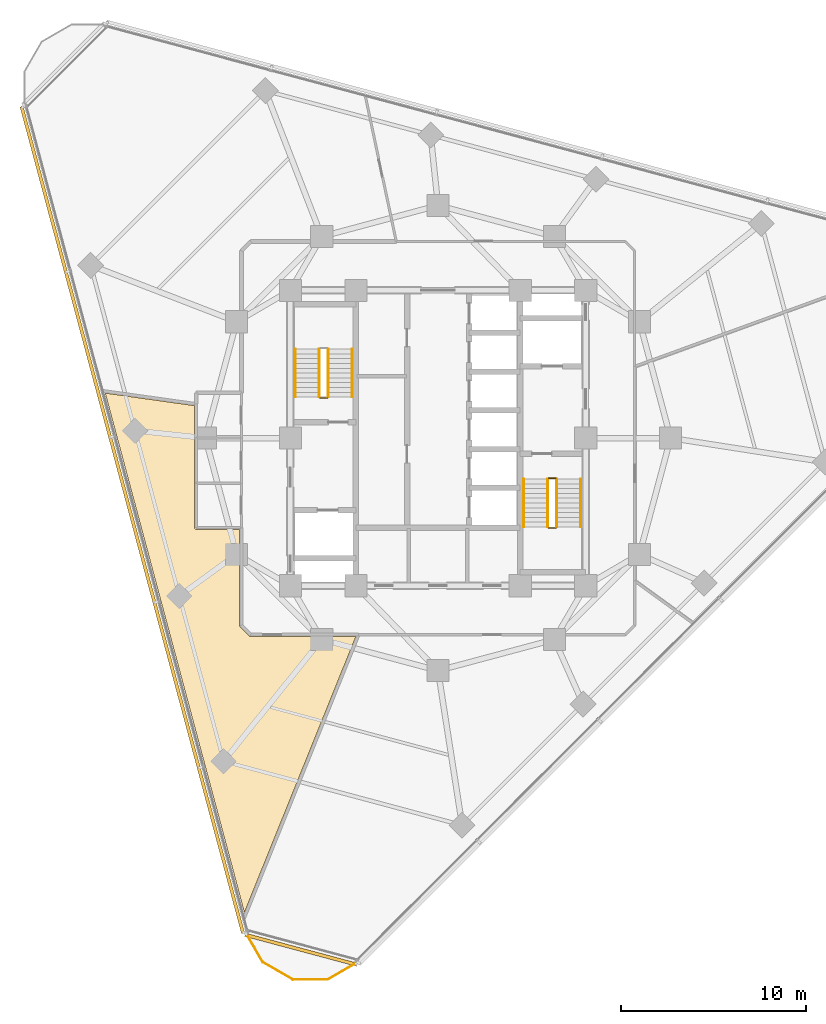
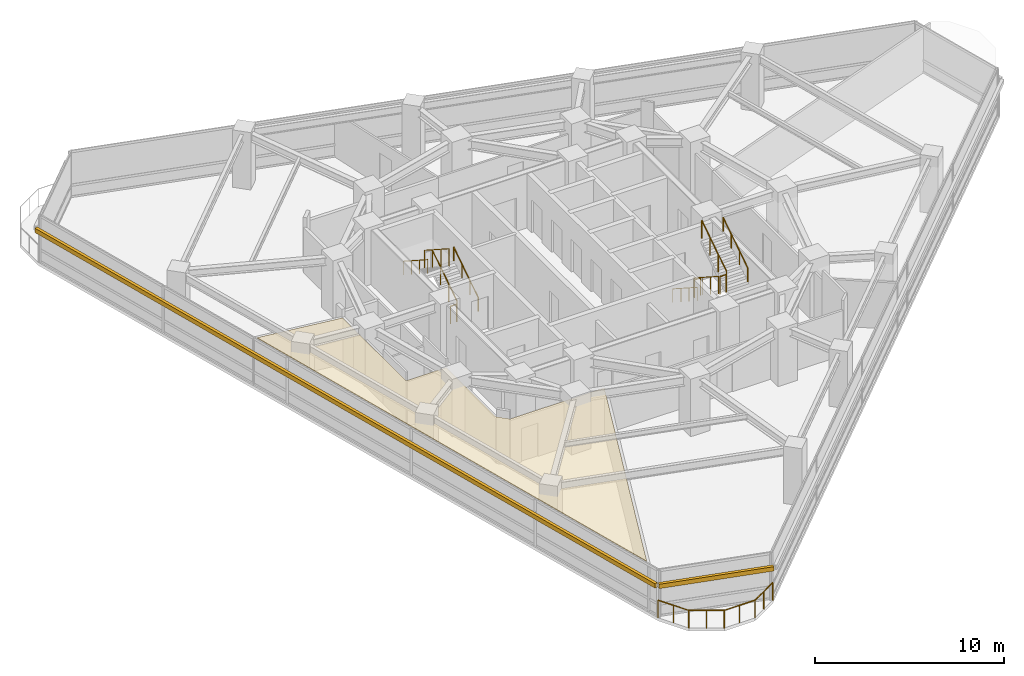
# One storey, part 11 of 13: 12 railings, 2 shading devices, 1 covering.
"""IFC4 building model written with IfcOpenShell, lengths in metres."""

import ifcopenshell
import ifcopenshell.guid

model = None  # the IFC model being written
_history = None  # IfcOwnerHistory: only IFC2X3 demands one
_inside = {}  # id of a spatial element -> (the spatial element, [elements in it])
_under = {}  # id of a project, library or spatial element -> (it, [spatial elements below it])
_declared = {}  # id of a project -> (the project, [libraries it declares])
_typed = {}  # id of a type object -> (the type object, [elements of that type])
_made_of = {}  # id of a material, layer set ... -> (it, [elements and type objects made of it])


def new_model(schema):
    """Start an empty IFC model of exactly this schema.

    Asked for "IFC4X3", IfcOpenShell would pick the latest addendum, in which some entities
    have other attributes; the version numbers below select the first issue.
    IFC2X3 requires an IfcOwnerHistory on every rooted entity: one is made here for all.
    """
    global model, _history
    if schema == "IFC4X3":
        model = ifcopenshell.file(schema_version=(4, 3, 0, 0))
    else:
        model = ifcopenshell.file(schema=schema)
    _inside.clear()
    _under.clear()
    _declared.clear()
    _typed.clear()
    _made_of.clear()
    _history = None
    if model.schema == "IFC2X3":
        org = make("IfcOrganization", Name="unknown")
        user = make(
            "IfcPersonAndOrganization",
            ThePerson=make("IfcPerson", FamilyName="unknown"),
            TheOrganization=org,
        )
        app = make(
            "IfcApplication",
            ApplicationDeveloper=org,
            Version="unknown",
            ApplicationFullName="unknown",
            ApplicationIdentifier="unknown",
        )
        _history = make(
            "IfcOwnerHistory",
            OwningUser=user,
            OwningApplication=app,
            ChangeAction="ADDED",
            CreationDate=0,
        )
    return model


def make(cls, **values):
    """One entity of the class cls with the attributes given. An attribute that is None is left unset."""
    return model.create_entity(
        cls, **{name: value for name, value in values.items() if value is not None}
    )


def rooted(cls, **values):
    """An entity with a GlobalId (a new one), such as an element, a storey or a relation."""
    return make(cls, GlobalId=ifcopenshell.guid.new(), OwnerHistory=_history, **values)


def si_unit(unit_type, name, prefix=None):
    """IfcSIUnit, for example si_unit("LENGTHUNIT", "METRE", prefix="MILLI")."""
    return make("IfcSIUnit", UnitType=unit_type, Prefix=prefix, Name=name)


def assignment(units):
    """IfcUnitAssignment: the units of a project."""
    return None if units is None else make("IfcUnitAssignment", Units=units)


def point(xyz):
    """IfcCartesianPoint."""
    return None if xyz is None else make("IfcCartesianPoint", Coordinates=xyz)


def direction(xyz):
    """IfcDirection."""
    return None if xyz is None else make("IfcDirection", DirectionRatios=xyz)


def frame(location, z_axis=None, x_axis=None):
    """IfcAxis2Placement3D, a coordinate frame: its origin and axes. An axis left out is left unset."""
    return make(
        "IfcAxis2Placement3D",
        Location=point(location),
        Axis=direction(z_axis),
        RefDirection=direction(x_axis),
    )


def frame_2d(location, x_axis=None):
    """IfcAxis2Placement2D, a coordinate frame in the plane: its origin and x axis."""
    return make(
        "IfcAxis2Placement2D", Location=point(location), RefDirection=direction(x_axis)
    )


def origin():
    """The frame at (0, 0, 0) with its axes left unset."""
    return frame((0.0, 0.0, 0.0))


def origin_2d():
    """The frame at (0, 0) in the plane with its x axis left unset."""
    return frame_2d((0.0, 0.0))


def place(relative_to, where):
    """IfcLocalPlacement: puts the frame where relative to a parent placement (None: the world)."""
    return make(
        "IfcLocalPlacement", PlacementRelTo=relative_to, RelativePlacement=where
    )


def context(
    kind, dimensions, precision=None, world=None, true_north=None, identifier=None
):
    """IfcGeometricRepresentationContext, for example the 3D "Model" context."""
    return make(
        "IfcGeometricRepresentationContext",
        ContextIdentifier=identifier,
        ContextType=kind,
        CoordinateSpaceDimension=dimensions,
        Precision=precision,
        WorldCoordinateSystem=world,
        TrueNorth=true_north,
    )


def subcontext(parent, identifier, kind, view, scale=None):
    """IfcGeometricRepresentationSubContext, for example "Body" below "Model"."""
    return make(
        "IfcGeometricRepresentationSubContext",
        ContextIdentifier=identifier,
        ContextType=kind,
        ParentContext=parent,
        TargetScale=scale,
        TargetView=view,
    )


def project(units=None, contexts=None):
    """IfcProject with its units and contexts."""
    return rooted(
        "IfcProject",
        Name="project",
        RepresentationContexts=contexts,
        UnitsInContext=assignment(units),
    )


def spatial(cls, under=None, at=None, **own):
    """A site, building, storey or space (cls), placed at a placement, below another one or the project."""
    s = rooted(cls, ObjectPlacement=at, **own)
    if under is not None:
        _under.setdefault(under.id(), (under, []))[1].append(s)
    return s


def polyline(points):
    """IfcPolyline through the points."""
    return make("IfcPolyline", Points=[point(p) for p in points])


def profile(cls, at=None, kind="AREA", **sizes):
    """A parametric profile (cls). Its sizes go by their IFC names, for example OverallWidth=200.0."""
    return make(cls, ProfileType=kind, Position=at, **sizes)


def rectangle(**sizes):
    """IfcRectangleProfileDef."""
    return profile("IfcRectangleProfileDef", **sizes)


def circle(**sizes):
    """IfcCircleProfileDef."""
    return profile("IfcCircleProfileDef", **sizes)


def outline(outer, holes=None, kind="AREA"):
    """IfcArbitraryClosedProfileDef: a profile drawn as a closed curve; with holes, ...WithVoids."""
    if holes is None:
        return make("IfcArbitraryClosedProfileDef", ProfileType=kind, OuterCurve=outer)
    return make(
        "IfcArbitraryProfileDefWithVoids",
        ProfileType=kind,
        OuterCurve=outer,
        InnerCurves=holes,
    )


def extrude(swept, where, along, depth):
    """IfcExtrudedAreaSolid: the profile swept, set in the frame where, extruded along a direction by depth."""
    return make(
        "IfcExtrudedAreaSolid",
        SweptArea=swept,
        Position=where,
        ExtrudedDirection=direction(along),
        Depth=depth,
    )


def shape(context_of_items, identifier, shape_type, items):
    """IfcShapeRepresentation: the items that make up one representation, for example the "Body"."""
    return make(
        "IfcShapeRepresentation",
        ContextOfItems=context_of_items,
        RepresentationIdentifier=identifier,
        RepresentationType=shape_type,
        Items=items,
    )


def material(Name=None, Category=None):
    """IfcMaterial."""
    return make("IfcMaterial", Name=Name, Category=Category)


def layer(
    of_material, thickness, ventilated=None, Name=None, Category=None, Priority=None
):
    """IfcMaterialLayer: one layer of a wall or slab, of a material (None: an air gap)."""
    return make(
        "IfcMaterialLayer",
        Material=of_material,
        LayerThickness=thickness,
        IsVentilated=ventilated,
        Name=Name,
        Category=Category,
        Priority=Priority,
    )


def layer_set(layers, Name=None):
    """IfcMaterialLayerSet."""
    return make("IfcMaterialLayerSet", MaterialLayers=layers, LayerSetName=Name)


def made_of(thing, what):
    """Note that an element or type object is made of a material, layer set ...; save() writes the relation."""
    if what is not None:
        _made_of.setdefault(what.id(), (what, []))[1].append(thing)
    return thing


def type_object(cls, material=None, **own):
    """A type object (cls), such as IfcWallType, which elements share."""
    return made_of(rooted(cls, **own), material)


def element(
    cls,
    number,
    at=None,
    inside=None,
    cuts=None,
    type_object=None,
    material=None,
    context=None,
    identifier="Body",
    shape_type=None,
    held_by="IfcProductDefinitionShape",
    body=None,
    shapes=None,
    **own,
):
    """One element of the class cls, such as IfcWall. Its Tag is "e" and its number.

    at: its placement. inside: the storey or other place that contains it. cuts: it is an
    opening in that element (IfcRelVoidsElement). A single representation is given by context,
    identifier, shape_type and body (its items); several are given by shapes. held_by: the class
    of the entity that holds the representations. save() writes the other relations.
    """
    e = rooted(cls, Tag="e%d" % number, ObjectPlacement=at, **own)
    if body is not None:
        shapes = [shape(context, identifier, shape_type, body)]
    if shapes is not None:
        e.Representation = make(held_by, Representations=shapes)
    if inside is not None:
        _inside.setdefault(inside.id(), (inside, []))[1].append(e)
    if cuts is not None:
        rooted(
            "IfcRelVoidsElement", RelatingBuildingElement=cuts, RelatedOpeningElement=e
        )
    if type_object is not None:
        _typed.setdefault(type_object.id(), (type_object, []))[1].append(e)
    return made_of(e, material)


def aggregate(whole, parts):
    """IfcRelAggregates: a whole, such as a stair, and the parts it consists of."""
    return rooted("IfcRelAggregates", RelatingObject=whole, RelatedObjects=parts)


def save(model, path):
    """Write the relations noted so far, then the file.

    IfcRelAggregates (storeys below a building ...), IfcRelContainedInSpatialStructure (elements
    in a storey), IfcRelDefinesByType, IfcRelAssociatesMaterial and IfcRelDeclares: one each for
    every whole, place, type object, material and project.
    """
    for whole, parts in _under.values():
        aggregate(whole, parts)
    for where, things in _inside.values():
        rooted(
            "IfcRelContainedInSpatialStructure",
            RelatedElements=things,
            RelatingStructure=where,
        )
    for kind, things in _typed.values():
        rooted("IfcRelDefinesByType", RelatedObjects=things, RelatingType=kind)
    for what, things in _made_of.values():
        rooted("IfcRelAssociatesMaterial", RelatedObjects=things, RelatingMaterial=what)
    for by, libraries in _declared.values():
        rooted("IfcRelDeclares", RelatingContext=by, RelatedDefinitions=libraries)
    model.write(path)


model = new_model("IFC4")

# Units and contexts
model_context = context("Model", 3, precision=1e-05, world=origin(), true_north=direction((0.0, 1.0)))
body_context = subcontext(model_context, "Body", "Model", "MODEL_VIEW")
ifc_project = project(units=[si_unit("LENGTHUNIT", "METRE"), si_unit("AREAUNIT", "SQUARE_METRE"), si_unit("VOLUMEUNIT", "CUBIC_METRE"), si_unit("PLANEANGLEUNIT", "RADIAN"), si_unit("MASSUNIT", "GRAM", prefix="KILO")], contexts=[model_context])

# Site, building, storey
site_placement = place(None, origin())
site = spatial("IfcSite", under=ifc_project, at=site_placement, CompositionType="ELEMENT")
building_placement = place(site_placement, origin())
building = spatial("IfcBuilding", under=site, at=building_placement, Name="Terralouvre Media Tower", CompositionType="ELEMENT")
storey_placement = place(building_placement, frame((0.0, 0.0, 199.0)))
storey = spatial("IfcBuildingStorey", under=building, at=storey_placement, Name="L51", CompositionType="ELEMENT", Elevation=199.0)

# Covering
ifc_material_1 = material(Name="Perforated aluminium acoustic ceiling baffle", Category="aluminium")
ifc_layer_1 = layer(ifc_material_1, 0.0400390625, Name="Perforated Acoustic Metal Tile Ceiling CL-AC1")
ifc_layer_set_1 = layer_set([ifc_layer_1], Name="Perforated aluminium acoustic ceiling baffle")
covering_type = type_object("IfcCoveringType", Name="Perforated Acoustic Metal Tile Ceiling CL-AC1", PredefinedType="CEILING", material=ifc_layer_set_1)
covering_placement = place(storey_placement, frame((0.0, 0.0, 2.97998046875), z_axis=(0.0, 0.0, 1.0), x_axis=(0.707106781187, 0.707106781187, 0.0)))
element("IfcCovering", 1, at=covering_placement, inside=storey, type_object=covering_type, Name="L51 Simultaneous Translation Control Room 1 Acoustic Ceiling", PredefinedType="CEILING", context=body_context, shape_type="SweptSolid", body=[
    extrude(outline(polyline([(-14.778564453125, -0.42431640625), (-14.78515625, -0.4169921875), (-14.791015625, -0.4091796875), (-14.7958984375, -0.400634765625), (-14.80029296875, -0.391845703125), (-14.803466796875, -0.382568359375), (-14.805908203125, -0.373046875), (-14.807373046875, -0.36328125), (-14.807861328125, -0.353515625), (-14.807861328125, 0.353515625), (-14.807373046875, 0.36328125), (-14.805908203125, 0.373046875), (-14.803466796875, 0.382568359375), (-14.80029296875, 0.391845703125), (-14.7958984375, 0.400634765625), (-14.791015625, 0.4091796875), (-14.78515625, 0.4169921875), (-14.778564453125, 0.42431640625), (-11.1015625, 4.101318359375), (-12.76318359375, 5.762939453125), (-12.769775390625, 5.770263671875), (-12.775634765625, 5.778076171875), (-12.78076171875, 5.786376953125), (-12.784912109375, 5.79541015625), (-12.788330078125, 5.8046875), (-12.79052734375, 5.814208984375), (-12.7919921875, 5.82373046875), (-12.79248046875, 5.833740234375), (-12.7919921875, 5.843505859375), (-12.79052734375, 5.85302734375), (-12.788330078125, 5.86279296875), (-12.784912109375, 5.871826171875), (-12.78076171875, 5.880859375), (-12.775634765625, 5.88916015625), (-12.769775390625, 5.89697265625), (-12.76318359375, 5.904296875), (-8.093505859375, 10.57421875), (-11.02685546875, 14.467529296875), (-25.58740234375, -10.752685546875), (-10.7490234375, -4.453857421875), (-14.778564453125, -0.42431640625)])), origin(), (0.0, 0.0, 1.0), 0.0400390625),
])

# Railings
ifc_material_2 = material(Name="Stainless steel 316 handrail and balustrade", Category="steel")
ifc_layer_2 = layer(ifc_material_2, 0.06005859375, Name="Roof Edge Safety Guardrail GR-ROOF1")
ifc_layer_set_2 = layer_set([ifc_layer_2], Name="Stainless steel 316 handrail and balustrade")
railing_type_1 = type_object("IfcRailingType", Name="Roof Edge Safety Guardrail GR-ROOF1", PredefinedType="GUARDRAIL", material=ifc_layer_set_2)
railing_1_placement = place(storey_placement, frame((-10.418701171875, -26.77685546875, 0.0)))
element("IfcRailing", 2, at=railing_1_placement, inside=storey, type_object=railing_type_1, Name="L51 Wind-Corner Perimeter Safety Guardrail C0", PredefinedType="GUARDRAIL", context=body_context, shape_type="SweptSolid", body=[
    extrude(circle(Radius=0.02099609375, at=origin_2d()), frame((0.0, 0.0, 1.12890625), z_axis=(0.499797667116, -0.866142189219, 0.0), x_axis=(0.866142189219, 0.499797667116, 0.0)), (0.0, 0.0, 1.0), 1.873291015625),
    extrude(circle(Radius=0.02099609375, at=origin_2d()), frame((0.936279296875, -1.62255859375, 1.12890625), z_axis=(0.86593156901, -0.500162491388, 0.0), x_axis=(0.500162491388, 0.86593156901, 0.0)), (0.0, 0.0, 1.0), 1.873046875),
    extrude(circle(Radius=0.02099609375, at=origin_2d()), frame((2.55810546875, -2.559326171875, 1.12890625), z_axis=(0.999999991505, 0.000130344107, 0.0), x_axis=(-0.000130344107, 0.999999991505, 0.0)), (0.0, 0.0, 1.0), 1.873046875),
    extrude(circle(Radius=0.02099609375, at=origin_2d()), frame((4.43115234375, -2.55908203125, 1.12890625), z_axis=(0.86590772507, 0.500203770141, 0.0), x_axis=(-0.500203770141, 0.86590772507, 0.0)), (0.0, 0.0, 1.0), 1.873291015625),
    extrude(circle(Radius=0.01904296875, at=origin_2d()), origin(), (0.0, 0.0, 1.0), 1.10791015625),
    extrude(circle(Radius=0.01904296875, at=origin_2d()), frame((0.46826171875, -0.811279296875, 0.0)), (0.0, 0.0, 1.0), 1.10791015625),
    extrude(circle(Radius=0.01904296875, at=origin_2d()), frame((0.936279296875, -1.62255859375, 0.0)), (0.0, 0.0, 1.0), 1.10791015625),
    extrude(circle(Radius=0.01904296875, at=origin_2d()), frame((1.7470703125, -2.0908203125, 0.0)), (0.0, 0.0, 1.0), 1.10791015625),
    extrude(circle(Radius=0.01904296875, at=origin_2d()), frame((2.55810546875, -2.559326171875, 0.0)), (0.0, 0.0, 1.0), 1.10791015625),
    extrude(circle(Radius=0.01904296875, at=origin_2d()), frame((3.49462890625, -2.55908203125, 0.0)), (0.0, 0.0, 1.0), 1.10791015625),
    extrude(circle(Radius=0.01904296875, at=origin_2d()), frame((4.43115234375, -2.55908203125, 0.0)), (0.0, 0.0, 1.0), 1.10791015625),
    extrude(circle(Radius=0.01904296875, at=origin_2d()), frame((5.2421875, -2.090576171875, 0.0)), (0.0, 0.0, 1.0), 1.10791015625),
    extrude(circle(Radius=0.01904296875, at=origin_2d()), frame((6.05322265625, -1.6220703125, 0.0)), (0.0, 0.0, 1.0), 1.10791015625),
])
ifc_material_3 = material(Name="Stainless steel 316 handrail and balustrade", Category="steel")
ifc_layer_3 = layer(ifc_material_3, 0.050048828125, Name="Stair Flight Wall Handrail HR-INT1")
ifc_layer_set_3 = layer_set([ifc_layer_3], Name="Stainless steel 316 handrail and balustrade")
railing_type_2 = type_object("IfcRailingType", Name="Stair Flight Wall Handrail HR-INT1", PredefinedType="HANDRAIL", material=ifc_layer_set_3)
railing_2_placement = place(storey_placement, frame((-4.64990234375, 2.219970703125, 0.168212890625)))
element("IfcRailing", 3, at=railing_2_placement, inside=storey, type_object=railing_type_2, Name="L51 ST-01 stair handrail 1", PredefinedType="HANDRAIL", context=body_context, shape_type="SweptSolid", body=[
    extrude(circle(Radius=0.02392578125, at=origin_2d()), frame((0.0, 0.0, 0.8759765625), z_axis=(0.0, 0.839648411786, 0.543130320075), x_axis=(-1.0, 0.0, 0.0)), (0.0, 0.0, 1.0), 3.0966796875),
    extrude(circle(Radius=0.02099609375, at=origin_2d()), origin(), (0.0, 0.0, 1.0), 0.851806640625),
    extrude(circle(Radius=0.02099609375, at=origin_2d()), frame((0.0, 0.86669921875, 0.560546875)), (0.0, 0.0, 1.0), 0.851806640625),
    extrude(circle(Radius=0.02099609375, at=origin_2d()), frame((0.0, 1.7333984375, 1.121337890625)), (0.0, 0.0, 1.0), 0.851806640625),
    extrude(circle(Radius=0.02099609375, at=origin_2d()), frame((0.0, 2.60009765625, 1.681884765625)), (0.0, 0.0, 1.0), 0.851806640625),
])
for number, where, name in (
    (4, (-7.72998046875, 4.820068359375, 2.01806640625), "L51 ST-01 stair handrail 2"),
    (5, (4.64990234375, -2.219970703125, 0.168212890625), "L51 ST-02 stair handrail 1"),
):
    element("IfcRailing", number, at=place(storey_placement, frame(where)), inside=storey, type_object=railing_type_2, Name=name, PredefinedType="HANDRAIL", context=body_context, shape_type="SweptSolid", body=[
        extrude(circle(Radius=0.02392578125, at=origin_2d()), frame((0.0, 0.0, 0.8759765625), z_axis=(0.0, -0.839648411786, 0.543130320075), x_axis=(1.0, 0.0, 0.0)), (0.0, 0.0, 1.0), 3.0966796875),
        extrude(circle(Radius=0.02099609375, at=origin_2d()), origin(), (0.0, 0.0, 1.0), 0.851806640625),
        extrude(circle(Radius=0.02099609375, at=origin_2d()), frame((0.0, -0.86669921875, 0.560546875)), (0.0, 0.0, 1.0), 0.851806640625),
        extrude(circle(Radius=0.02099609375, at=origin_2d()), frame((0.0, -1.7333984375, 1.121337890625)), (0.0, 0.0, 1.0), 0.851806640625),
        extrude(circle(Radius=0.02099609375, at=origin_2d()), frame((0.0, -2.60009765625, 1.681884765625)), (0.0, 0.0, 1.0), 0.851806640625),
    ])
railing_3_placement = place(storey_placement, frame((7.72998046875, -4.820068359375, 2.01806640625)))
element("IfcRailing", 6, at=railing_3_placement, inside=storey, type_object=railing_type_2, Name="L51 ST-02 stair handrail 2", PredefinedType="HANDRAIL", context=body_context, shape_type="SweptSolid", body=[
    extrude(circle(Radius=0.02392578125, at=origin_2d()), frame((0.0, 0.0, 0.8759765625), z_axis=(0.0, 0.839648411786, 0.543130320075), x_axis=(-1.0, 0.0, 0.0)), (0.0, 0.0, 1.0), 3.0966796875),
    extrude(circle(Radius=0.02099609375, at=origin_2d()), origin(), (0.0, 0.0, 1.0), 0.851806640625),
    extrude(circle(Radius=0.02099609375, at=origin_2d()), frame((0.0, 0.86669921875, 0.560546875)), (0.0, 0.0, 1.0), 0.851806640625),
    extrude(circle(Radius=0.02099609375, at=origin_2d()), frame((0.0, 1.7333984375, 1.121337890625)), (0.0, 0.0, 1.0), 0.851806640625),
    extrude(circle(Radius=0.02099609375, at=origin_2d()), frame((0.0, 2.60009765625, 1.681884765625)), (0.0, 0.0, 1.0), 0.851806640625),
])
ifc_material_4 = material(Name="Stainless steel 316 handrail and balustrade", Category="steel")
ifc_layer_4 = layer(ifc_material_4, 0.050048828125, Name="Stairwell Safety Guardrail GR-INT1")
ifc_layer_set_4 = layer_set([ifc_layer_4], Name="Stainless steel 316 handrail and balustrade")
railing_type_3 = type_object("IfcRailingType", Name="Stairwell Safety Guardrail GR-INT1", PredefinedType="GUARDRAIL", material=ifc_layer_set_4)
railing_4_placement = place(storey_placement, frame((-5.949951171875, 2.219970703125, 0.168212890625)))
element("IfcRailing", 7, at=railing_4_placement, inside=storey, type_object=railing_type_3, Name="L51 ST-01 stair guard 1", PredefinedType="GUARDRAIL", context=body_context, shape_type="SweptSolid", body=[
    extrude(circle(Radius=0.02392578125, at=origin_2d()), frame((0.0, 0.0, 1.1259765625), z_axis=(0.0, 0.839648411786, 0.543130320075), x_axis=(-1.0, 0.0, 0.0)), (0.0, 0.0, 1.0), 3.0966796875),
    extrude(circle(Radius=0.02099609375, at=origin_2d()), origin(), (0.0, 0.0, 1.0), 1.101806640625),
    extrude(circle(Radius=0.02099609375, at=origin_2d()), frame((0.0, 0.86669921875, 0.560546875)), (0.0, 0.0, 1.0), 1.101806640625),
    extrude(circle(Radius=0.02099609375, at=origin_2d()), frame((0.0, 1.7333984375, 1.121337890625)), (0.0, 0.0, 1.0), 1.101806640625),
    extrude(circle(Radius=0.02099609375, at=origin_2d()), frame((0.0, 2.60009765625, 1.681884765625)), (0.0, 0.0, 1.0), 1.101806640625),
])
railing_5_placement = place(storey_placement, frame((-6.429931640625, 4.820068359375, 2.01806640625)))
element("IfcRailing", 8, at=railing_5_placement, inside=storey, type_object=railing_type_3, Name="L51 ST-01 stair guard 3", PredefinedType="GUARDRAIL", context=body_context, shape_type="SweptSolid", body=[
    extrude(circle(Radius=0.02392578125, at=origin_2d()), frame((0.0, 0.0, 1.1259765625), z_axis=(0.0, -0.839648411786, 0.543130320075), x_axis=(1.0, 0.0, 0.0)), (0.0, 0.0, 1.0), 3.0966796875),
    extrude(circle(Radius=0.02099609375, at=origin_2d()), origin(), (0.0, 0.0, 1.0), 1.101806640625),
    extrude(circle(Radius=0.02099609375, at=origin_2d()), frame((0.0, -0.86669921875, 0.560546875)), (0.0, 0.0, 1.0), 1.101806640625),
    extrude(circle(Radius=0.02099609375, at=origin_2d()), frame((0.0, -1.7333984375, 1.121337890625)), (0.0, 0.0, 1.0), 1.101806640625),
    extrude(circle(Radius=0.02099609375, at=origin_2d()), frame((0.0, -2.60009765625, 1.681884765625)), (0.0, 0.0, 1.0), 1.101806640625),
])
railing_6_placement = place(storey_placement, frame((-6.0, 2.169921875, 0.0)))
element("IfcRailing", 9, at=railing_6_placement, inside=storey, type_object=railing_type_3, Name="L51 ST-01 stair guard 4", PredefinedType="GUARDRAIL", context=body_context, shape_type="SweptSolid", body=[
    extrude(circle(Radius=0.02392578125, at=origin_2d()), frame((0.0, 0.0, 1.1259765625), z_axis=(-1.0, 0.0, 0.0), x_axis=(0.0, -1.0, 0.0)), (0.0, 0.0, 1.0), 0.3798828125),
    extrude(circle(Radius=0.02099609375, at=origin_2d()), origin(), (0.0, 0.0, 1.0), 1.101806640625),
    extrude(circle(Radius=0.02099609375, at=origin_2d()), frame((-0.3798828125, 0.0, 0.0)), (0.0, 0.0, 1.0), 1.101806640625),
])
railing_7_placement = place(storey_placement, frame((5.949951171875, -2.219970703125, 0.168212890625)))
element("IfcRailing", 10, at=railing_7_placement, inside=storey, type_object=railing_type_3, Name="L51 ST-02 stair guard 1", PredefinedType="GUARDRAIL", context=body_context, shape_type="SweptSolid", body=[
    extrude(circle(Radius=0.02392578125, at=origin_2d()), frame((0.0, 0.0, 1.1259765625), z_axis=(0.0, -0.839648411786, 0.543130320075), x_axis=(1.0, 0.0, 0.0)), (0.0, 0.0, 1.0), 3.0966796875),
    extrude(circle(Radius=0.02099609375, at=origin_2d()), origin(), (0.0, 0.0, 1.0), 1.101806640625),
    extrude(circle(Radius=0.02099609375, at=origin_2d()), frame((0.0, -0.86669921875, 0.560546875)), (0.0, 0.0, 1.0), 1.101806640625),
    extrude(circle(Radius=0.02099609375, at=origin_2d()), frame((0.0, -1.7333984375, 1.121337890625)), (0.0, 0.0, 1.0), 1.101806640625),
    extrude(circle(Radius=0.02099609375, at=origin_2d()), frame((0.0, -2.60009765625, 1.681884765625)), (0.0, 0.0, 1.0), 1.101806640625),
])
railing_8_placement = place(storey_placement, frame((6.0, -4.8701171875, 1.85009765625)))
element("IfcRailing", 11, at=railing_8_placement, inside=storey, type_object=railing_type_3, Name="L51 ST-02 stair guard 2", PredefinedType="GUARDRAIL", context=body_context, shape_type="SweptSolid", body=[
    extrude(circle(Radius=0.02392578125, at=origin_2d()), frame((0.0, 0.0, 1.1259765625), z_axis=(1.0, 0.0, 0.0), x_axis=(0.0, 1.0, 0.0)), (0.0, 0.0, 1.0), 0.3798828125),
    extrude(circle(Radius=0.02099609375, at=origin_2d()), origin(), (0.0, 0.0, 1.0), 1.101806640625),
    extrude(circle(Radius=0.02099609375, at=origin_2d()), frame((0.3798828125, 0.0, 0.0)), (0.0, 0.0, 1.0), 1.101806640625),
])
railing_9_placement = place(storey_placement, frame((6.429931640625, -4.820068359375, 2.01806640625)))
element("IfcRailing", 12, at=railing_9_placement, inside=storey, type_object=railing_type_3, Name="L51 ST-02 stair guard 3", PredefinedType="GUARDRAIL", context=body_context, shape_type="SweptSolid", body=[
    extrude(circle(Radius=0.02392578125, at=origin_2d()), frame((0.0, 0.0, 1.1259765625), z_axis=(0.0, 0.839648411786, 0.543130320075), x_axis=(-1.0, 0.0, 0.0)), (0.0, 0.0, 1.0), 3.0966796875),
    extrude(circle(Radius=0.02099609375, at=origin_2d()), origin(), (0.0, 0.0, 1.0), 1.101806640625),
    extrude(circle(Radius=0.02099609375, at=origin_2d()), frame((0.0, 0.86669921875, 0.560546875)), (0.0, 0.0, 1.0), 1.101806640625),
    extrude(circle(Radius=0.02099609375, at=origin_2d()), frame((0.0, 1.7333984375, 1.121337890625)), (0.0, 0.0, 1.0), 1.101806640625),
    extrude(circle(Radius=0.02099609375, at=origin_2d()), frame((0.0, 2.60009765625, 1.681884765625)), (0.0, 0.0, 1.0), 1.101806640625),
])
railing_10_placement = place(storey_placement, frame((6.0, -2.169921875, 0.0)))
element("IfcRailing", 13, at=railing_10_placement, inside=storey, type_object=railing_type_3, Name="L51 ST-02 stair guard 4", PredefinedType="GUARDRAIL", context=body_context, shape_type="SweptSolid", body=[
    extrude(circle(Radius=0.02392578125, at=origin_2d()), frame((0.0, 0.0, 1.1259765625), z_axis=(1.0, 0.0, 0.0), x_axis=(0.0, 1.0, 0.0)), (0.0, 0.0, 1.0), 0.3798828125),
    extrude(circle(Radius=0.02099609375, at=origin_2d()), origin(), (0.0, 0.0, 1.0), 1.101806640625),
    extrude(circle(Radius=0.02099609375, at=origin_2d()), frame((0.3798828125, 0.0, 0.0)), (0.0, 0.0, 1.0), 1.101806640625),
])

# Shading devices
ifc_material_5 = material(Name="Extruded terracotta baguette sunshade louvres", Category="masonry")
shading_device_type = type_object("IfcShadingDeviceType", Name="Terracotta Baguette Sunshade Louvre Screen TB-LV1", PredefinedType="USERDEFINED", material=ifc_material_5)
shading_device_1_placement = place(storey_placement, frame((-16.558837890625, -4.43701171875, 2.02392578125), z_axis=(0.0, 0.0, 1.0), x_axis=(0.25881903342, -0.96592582942, 0.0)))
element("IfcShadingDevice", 14, at=shading_device_1_placement, inside=storey, type_object=shading_device_type, Name="CW-L51-F2 Terracotta Baguette Sunshade Louvre", ObjectType="BAGUETTE", PredefinedType="USERDEFINED", context=body_context, shape_type="SweptSolid", body=[
    extrude(rectangle(XDim=46.360107421875, YDim=0.179931640625, at=origin_2d()), origin(), (0.0, 0.0, 1.0), 0.280029296875),
])
shading_device_2_placement = place(storey_placement, frame((-7.427001953125, -27.71826171875, 2.02392578125), z_axis=(0.0, 0.0, 1.0), x_axis=(0.965925911218, -0.258818728144, 0.0)))
element("IfcShadingDevice", 15, at=shading_device_2_placement, inside=storey, type_object=shading_device_type, Name="CW-L51-C0 Terracotta Baguette Sunshade Louvre", ObjectType="BAGUETTE", PredefinedType="USERDEFINED", context=body_context, shape_type="SweptSolid", body=[
    extrude(rectangle(XDim=6.27001953125, YDim=0.179931640625, at=origin_2d()), origin(), (0.0, 0.0, 1.0), 0.280029296875),
])

save(model, "model.ifc")
